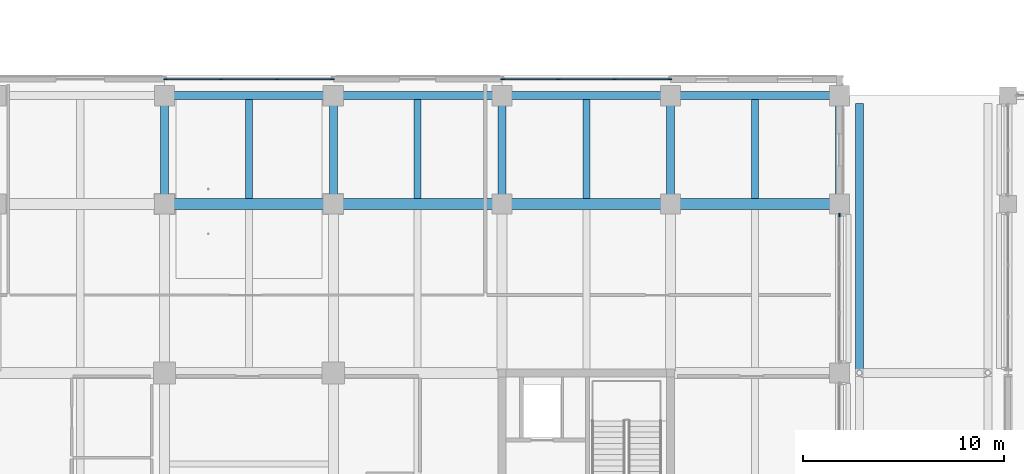
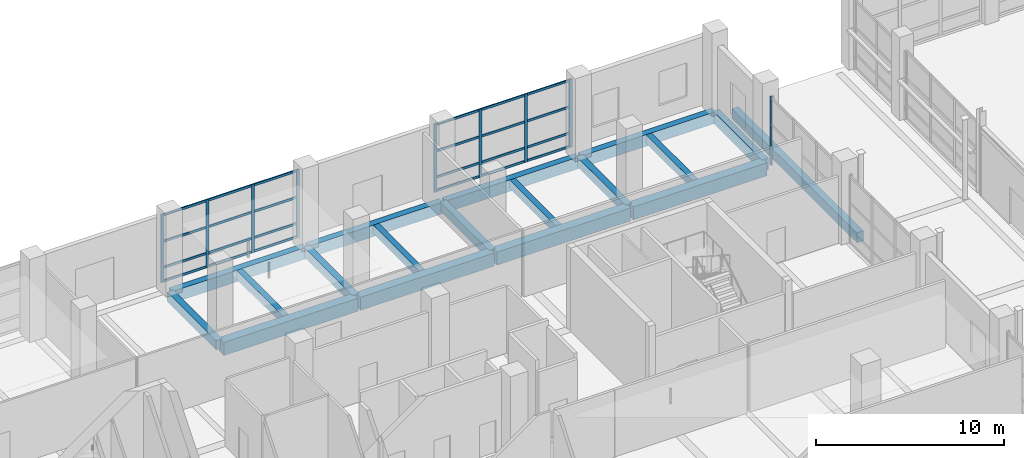
# One storey, part 33 of 140: 33 members, 18 beams, 3 elements without a shape of their own.
"""IFC4 building model written with IfcOpenShell, lengths in metres."""

from ifc_helpers import new_model, si_unit, direction, frame, origin, origin_2d, place, context, subcontext, project, spatial, rectangle, extrude, material, layer, layer_set, material_profile, profile_set, type_object, element, aggregate, save


model = new_model("IFC4")

# Units and contexts
model_context = context("Model", 3, precision=1e-05, world=origin(), true_north=direction((0.0, 1.0)))
body_context = subcontext(model_context, "Body", "Model", "MODEL_VIEW")
ifc_project = project(units=[si_unit("LENGTHUNIT", "METRE"), si_unit("AREAUNIT", "SQUARE_METRE"), si_unit("VOLUMEUNIT", "CUBIC_METRE"), si_unit("PLANEANGLEUNIT", "RADIAN"), si_unit("MASSUNIT", "GRAM", prefix="KILO")], contexts=[model_context])

# Site, building, storey
site_placement = place(None, origin())
site = spatial("IfcSite", under=ifc_project, at=site_placement, CompositionType="ELEMENT")
building_placement = place(site_placement, origin())
building = spatial("IfcBuilding", under=site, at=building_placement, Name="Telukmera Botanical Conservatory", CompositionType="ELEMENT")
storey_placement = place(building_placement, origin())
storey = spatial("IfcBuildingStorey", under=building, at=storey_placement, Name="L00", CompositionType="ELEMENT", Elevation=0.0)

# Beams
ifc_material_1 = material(Name="Concrete C40/50", Category="concrete")
ifc_material_profile_1 = material_profile(ifc_material_1, rectangle(XDim=0.39990234375, YDim=0.60009765625, at=origin_2d()), Name="RC 400x600")
ifc_profile_set_1 = profile_set([ifc_material_profile_1], Name="Concrete C40/50")
beam_type_1 = type_object("IfcBeamType", Name="Beam_B18", PredefinedType="BEAM", material=ifc_profile_set_1)
for number, where, z_axis, x_axis, name in (
    (1, (75.60009765625, 42.8798828125, -0.300048828125), (0.0, 1.0, 0.0), (-1.0, 0.0, 0.0), "Tower Transverse Beam L00"),
    (2, (84.0, 42.8798828125, -0.300048828125), (0.0, 1.0, 0.0), (-1.0, 0.0, 0.0), "Tower Transverse Beam L00"),
    (3, (92.39990234375, 42.8798828125, -0.300048828125), (0.0, 1.0, 0.0), (-1.0, 0.0, 0.0), "Tower Transverse Beam L00"),
    (4, (100.800048828125, 42.8798828125, -0.300048828125), (0.0, 1.0, 0.0), (-1.0, 0.0, 0.0), "Tower Transverse Beam L00"),
):
    element("IfcBeam", number, at=place(storey_placement, frame(where, z_axis=z_axis, x_axis=x_axis)), inside=storey, type_object=beam_type_1, Name=name, PredefinedType="BEAM", context=body_context, shape_type="SweptSolid", body=[
        extrude(rectangle(XDim=0.39990234375, YDim=0.60009765625, at=origin_2d()), origin(), (0.0, 0.0, 1.0), 5.240234375),
    ])
ifc_material_profile_2 = material_profile(ifc_material_1, rectangle(XDim=0.35009765625, YDim=0.550048828125, at=origin_2d()), Name="RC 350x550")
ifc_profile_set_2 = profile_set([ifc_material_profile_2], Name="Concrete C40/50")
beam_type_2 = type_object("IfcBeamType", Name="Beam_B21", PredefinedType="JOIST", material=ifc_profile_set_2)
for number, where, z_axis, x_axis, name in (
    (5, (79.800048828125, 43.074951171875, -0.27490234375), (0.0, 1.0, 0.0), (-1.0, 0.0, 0.0), "Tower Secondary Floor Joist L00"),
    (6, (88.199951171875, 43.074951171875, -0.27490234375), (0.0, 1.0, 0.0), (-1.0, 0.0, 0.0), "Tower Secondary Floor Joist L00"),
    (7, (96.60009765625, 43.074951171875, -0.27490234375), (0.0, 1.0, 0.0), (-1.0, 0.0, 0.0), "Tower Secondary Floor Joist L00"),
    (8, (105.0, 43.074951171875, -0.27490234375), (0.0, 1.0, 0.0), (-1.0, 0.0, 0.0), "Tower Secondary Floor Joist L00"),
):
    element("IfcBeam", number, at=place(storey_placement, frame(where, z_axis=z_axis, x_axis=x_axis)), inside=storey, type_object=beam_type_2, Name=name, PredefinedType="JOIST", context=body_context, shape_type="SweptSolid", body=[
        extrude(rectangle(XDim=0.35009765625, YDim=0.550048828125, at=origin_2d()), origin(), (0.0, 0.0, 1.0), 4.925048828125),
    ])
ifc_material_profile_3 = material_profile(ifc_material_1, rectangle(XDim=0.550048828125, YDim=0.85009765625, at=origin_2d()), Name="RC 550x850")
ifc_profile_set_3 = profile_set([ifc_material_profile_3], Name="Concrete C40/50")
beam_type_3 = type_object("IfcBeamType", Name="Beam_B4", PredefinedType="BEAM", material=ifc_profile_set_3)
for number, where, z_axis, x_axis, name in (
    (9, (75.679931640625, 42.800048828125, -0.425048828125), (1.0, 0.0, 0.0), (0.0, 1.0, 0.0), "Tower Grid Beam L00"),
    (10, (84.080078125, 42.800048828125, -0.425048828125), (1.0, 0.0, 0.0), (0.0, 1.0, 0.0), "Tower Grid Beam L00"),
    (11, (92.47998046875, 42.800048828125, -0.425048828125), (1.0, 0.0, 0.0), (0.0, 1.0, 0.0), "Tower Grid Beam L00"),
):
    element("IfcBeam", number, at=place(storey_placement, frame(where, z_axis=z_axis, x_axis=x_axis)), inside=storey, type_object=beam_type_3, Name=name, PredefinedType="BEAM", context=body_context, shape_type="SweptSolid", body=[
        extrude(rectangle(XDim=0.550048828125, YDim=0.85009765625, at=origin_2d()), origin(), (0.0, 0.0, 1.0), 8.239990234375),
    ])
beam_1_placement = place(storey_placement, frame((100.8798828125, 42.800048828125, -0.425048828125), z_axis=(1.0, 0.0, 0.0), x_axis=(0.0, 1.0, 0.0)))
element("IfcBeam", 12, at=beam_1_placement, inside=storey, type_object=beam_type_3, Name="Tower Grid Beam L00", PredefinedType="BEAM", context=body_context, shape_type="SweptSolid", body=[
    extrude(rectangle(XDim=0.550048828125, YDim=0.85009765625, at=origin_2d()), origin(), (0.0, 0.0, 1.0), 8.240234375),
])
ifc_material_profile_4 = material_profile(ifc_material_1, rectangle(XDim=0.39990234375, YDim=0.64990234375, at=origin_2d()), Name="RC 400x650")
ifc_profile_set_4 = profile_set([ifc_material_profile_4], Name="Concrete C40/50")
beam_type_4 = type_object("IfcBeamType", Name="Beam_B8", PredefinedType="BEAM", material=ifc_profile_set_4)
beam_2_placement = place(storey_placement, frame((110.199951171875, 34.47998046875, -0.324951171875), z_axis=(0.0, 1.0, 0.0), x_axis=(-1.0, 0.0, 0.0)))
element("IfcBeam", 13, at=beam_2_placement, inside=storey, type_object=beam_type_4, Name="East Link Deck North Girder L00", PredefinedType="BEAM", context=body_context, shape_type="SweptSolid", body=[
    extrude(rectangle(XDim=0.39990234375, YDim=0.64990234375, at=origin_2d()), origin(), (0.0, 0.0, 1.0), 13.340087890625),
])
ifc_material_2 = material(Name="Precast concrete C40/50", Category="concrete")
ifc_material_profile_5 = material_profile(ifc_material_2, rectangle(XDim=0.39990234375, YDim=0.75, at=origin_2d()), Name="PC 400x750")
ifc_profile_set_5 = profile_set([ifc_material_profile_5], Name="Precast concrete C40/50")
beam_type_5 = type_object("IfcBeamType", Name="Beam_SP1", PredefinedType="SPANDREL", material=ifc_profile_set_5)
for number, where, z_axis, x_axis, name in (
    (14, (75.679931640625, 48.199951171875, -0.375), (1.0, 0.0, 0.0), (0.0, 1.0, 0.0), "Tower Grid Beam L00"),
    (15, (84.080078125, 48.199951171875, -0.375), (1.0, 0.0, 0.0), (0.0, 1.0, 0.0), "Tower Grid Beam L00"),
    (16, (92.47998046875, 48.199951171875, -0.375), (1.0, 0.0, 0.0), (0.0, 1.0, 0.0), "Tower Grid Beam L00"),
):
    element("IfcBeam", number, at=place(storey_placement, frame(where, z_axis=z_axis, x_axis=x_axis)), inside=storey, type_object=beam_type_5, Name=name, PredefinedType="SPANDREL", context=body_context, shape_type="SweptSolid", body=[
        extrude(rectangle(XDim=0.39990234375, YDim=0.75, at=origin_2d()), origin(), (0.0, 0.0, 1.0), 8.239990234375),
    ])
beam_3_placement = place(storey_placement, frame((100.8798828125, 48.199951171875, -0.375), z_axis=(1.0, 0.0, 0.0), x_axis=(0.0, 1.0, 0.0)))
element("IfcBeam", 17, at=beam_3_placement, inside=storey, type_object=beam_type_5, Name="Tower Grid Beam L00", PredefinedType="SPANDREL", context=body_context, shape_type="SweptSolid", body=[
    extrude(rectangle(XDim=0.39990234375, YDim=0.75, at=origin_2d()), origin(), (0.0, 0.0, 1.0), 8.240234375),
])
beam_4_placement = place(storey_placement, frame((109.199951171875, 42.8798828125, -0.375), z_axis=(0.0, 1.0, 0.0), x_axis=(-1.0, 0.0, 0.0)))
element("IfcBeam", 18, at=beam_4_placement, inside=storey, type_object=beam_type_5, Name="Tower Transverse Beam L00", PredefinedType="SPANDREL", context=body_context, shape_type="SweptSolid", body=[
    extrude(rectangle(XDim=0.39990234375, YDim=0.75, at=origin_2d()), origin(), (0.0, 0.0, 1.0), 5.240234375),
])

# Curtain wall, members
ifc_material_3 = material(Name="Anodised aluminium 6063-T6", Category="aluminium")
ifc_layer = layer(ifc_material_3, 0.179931640625)
ifc_layer_set = layer_set([ifc_layer], Name="Anodised aluminium 6063-T6")
curtain_wall_type = type_object("IfcCurtainWallType", Name="Tower Boulevard Podium Hall Curtain Wall", PredefinedType="USERDEFINED", material=ifc_layer_set)
curtain_wall_1_placement = place(storey_placement, origin())
curtain_wall_1 = element("IfcCurtainWall", 19, at=curtain_wall_1_placement, inside=storey, type_object=curtain_wall_type, Name="Unitised Curtain Wall CW12 V4:L00:N4", ObjectType="UNITISED CURTAIN WALL", PredefinedType="USERDEFINED")
ifc_material_profile_6 = material_profile(ifc_material_3, rectangle(XDim=0.070068359375, YDim=0.179931640625, at=origin_2d()), Name="ALU MULL 70x180")
ifc_profile_set_6 = profile_set([ifc_material_profile_6], Name="Anodised aluminium 6063-T6")
member_type_1 = type_object("IfcMemberType", Name="Curtain Wall Extruded Mullion 70x180", PredefinedType="MULLION", material=ifc_profile_set_6)
member_1_placement = place(storey_placement, frame((75.636962890625, 49.02001953125, 0.0), z_axis=(0.0, 0.0, 1.0), x_axis=(0.0, 1.0, 0.0)))
member_1 = element("IfcMember", 20, at=member_1_placement, type_object=member_type_1, Name="CW12 mullion 1", PredefinedType="MULLION", context=body_context, shape_type="SweptSolid", body=[
    extrude(rectangle(XDim=0.070068359375, YDim=0.179931640625, at=origin_2d()), origin(), (0.0, 0.0, 1.0), 4.449951171875),
])
member_2_placement = place(storey_placement, frame((78.400634765625, 49.02001953125, 0.0), z_axis=(0.0, 0.0, 1.0), x_axis=(0.0, 1.0, 0.0)))
member_2 = element("IfcMember", 21, at=member_2_placement, type_object=member_type_1, Name="CW12 mullion 2", PredefinedType="MULLION", context=body_context, shape_type="SweptSolid", body=[
    extrude(rectangle(XDim=0.070068359375, YDim=0.179931640625, at=origin_2d()), origin(), (0.0, 0.0, 1.0), 4.449951171875),
])
member_3_placement = place(storey_placement, frame((81.19921875, 49.02001953125, 0.0), z_axis=(0.0, 0.0, 1.0), x_axis=(0.0, 1.0, 0.0)))
member_3 = element("IfcMember", 22, at=member_3_placement, type_object=member_type_1, Name="CW12 mullion 3", PredefinedType="MULLION", context=body_context, shape_type="SweptSolid", body=[
    extrude(rectangle(XDim=0.070068359375, YDim=0.179931640625, at=origin_2d()), origin(), (0.0, 0.0, 1.0), 4.449951171875),
])
member_4_placement = place(storey_placement, frame((83.962890625, 49.02001953125, 0.0), z_axis=(0.0, 0.0, 1.0), x_axis=(0.0, 1.0, 0.0)))
member_4 = element("IfcMember", 23, at=member_4_placement, type_object=member_type_1, Name="CW12 mullion 4", PredefinedType="MULLION", context=body_context, shape_type="SweptSolid", body=[
    extrude(rectangle(XDim=0.070068359375, YDim=0.179931640625, at=origin_2d()), origin(), (0.0, 0.0, 1.0), 4.449951171875),
])

curtain_wall_2_placement = place(storey_placement, origin())
curtain_wall_2 = element("IfcCurtainWall", 24, at=curtain_wall_2_placement, inside=storey, type_object=curtain_wall_type, Name="Unitised Curtain Wall CW12 V4:L00:N6", ObjectType="UNITISED CURTAIN WALL", PredefinedType="USERDEFINED")
member_5_placement = place(storey_placement, frame((92.43701171875, 49.02001953125, 0.0), z_axis=(0.0, 0.0, 1.0), x_axis=(0.0, 1.0, 0.0)))
member_5 = element("IfcMember", 25, at=member_5_placement, type_object=member_type_1, Name="CW12 mullion 1", PredefinedType="MULLION", context=body_context, shape_type="SweptSolid", body=[
    extrude(rectangle(XDim=0.070068359375, YDim=0.179931640625, at=origin_2d()), origin(), (0.0, 0.0, 1.0), 4.449951171875),
])
member_6_placement = place(storey_placement, frame((95.20068359375, 49.02001953125, 0.0), z_axis=(0.0, 0.0, 1.0), x_axis=(0.0, 1.0, 0.0)))
member_6 = element("IfcMember", 26, at=member_6_placement, type_object=member_type_1, Name="CW12 mullion 2", PredefinedType="MULLION", context=body_context, shape_type="SweptSolid", body=[
    extrude(rectangle(XDim=0.070068359375, YDim=0.179931640625, at=origin_2d()), origin(), (0.0, 0.0, 1.0), 4.449951171875),
])
member_7_placement = place(storey_placement, frame((97.999267578125, 49.02001953125, 0.0), z_axis=(0.0, 0.0, 1.0), x_axis=(0.0, 1.0, 0.0)))
member_7 = element("IfcMember", 27, at=member_7_placement, type_object=member_type_1, Name="CW12 mullion 3", PredefinedType="MULLION", context=body_context, shape_type="SweptSolid", body=[
    extrude(rectangle(XDim=0.070068359375, YDim=0.179931640625, at=origin_2d()), origin(), (0.0, 0.0, 1.0), 4.449951171875),
])
member_8_placement = place(storey_placement, frame((100.762939453125, 49.02001953125, 0.0), z_axis=(0.0, 0.0, 1.0), x_axis=(0.0, 1.0, 0.0)))
member_8 = element("IfcMember", 28, at=member_8_placement, type_object=member_type_1, Name="CW12 mullion 4", PredefinedType="MULLION", context=body_context, shape_type="SweptSolid", body=[
    extrude(rectangle(XDim=0.070068359375, YDim=0.179931640625, at=origin_2d()), origin(), (0.0, 0.0, 1.0), 4.449951171875),
])

# Curtain wall, member
curtain_wall_3_placement = place(storey_placement, origin())
curtain_wall_3 = element("IfcCurtainWall", 29, at=curtain_wall_3_placement, inside=storey, type_object=curtain_wall_type, Name="Unitised Curtain Wall CW12 V4:L00:E4", ObjectType="UNITISED CURTAIN WALL", PredefinedType="USERDEFINED")
member_9_placement = place(storey_placement, frame((109.199951171875, 42.262939453125, 0.0), z_axis=(0.0, 0.0, 1.0), x_axis=(-1.0, 0.0, 0.0)))
member_9 = element("IfcMember", 30, at=member_9_placement, type_object=member_type_1, Name="CW12 mullion 4", PredefinedType="MULLION", context=body_context, shape_type="SweptSolid", body=[
    extrude(rectangle(XDim=0.070068359375, YDim=0.179931640625, at=origin_2d()), origin(), (0.0, 0.0, 1.0), 4.449951171875),
])
aggregate(curtain_wall_3, [member_9])

# Member
ifc_material_profile_7 = material_profile(ifc_material_3, rectangle(XDim=0.070068359375, YDim=0.14990234375, at=origin_2d()), Name="ALU TRAN 70x150")
ifc_profile_set_7 = profile_set([ifc_material_profile_7], Name="Anodised aluminium 6063-T6")
member_type_2 = type_object("IfcMemberType", Name="Curtain Wall Extruded Transom 70x150", PredefinedType="USERDEFINED", material=ifc_profile_set_7)
member_10_placement = place(storey_placement, frame((75.672119140625, 49.02001953125, 0.074951171875), z_axis=(1.0, 0.0, 0.0), x_axis=(0.0, 1.0, 0.0)))
member_10 = element("IfcMember", 31, at=member_10_placement, type_object=member_type_2, Name="CW12 transom 1.1", ObjectType="TRANSOM", PredefinedType="USERDEFINED", context=body_context, shape_type="SweptSolid", body=[
    extrude(rectangle(XDim=0.070068359375, YDim=0.14990234375, at=origin_2d()), origin(), (0.0, 0.0, 1.0), 2.693603515625),
])

member_11_placement = place(storey_placement, frame((75.672119140625, 49.02001953125, 0.949951171875), z_axis=(1.0, 0.0, 0.0), x_axis=(0.0, 1.0, 0.0)))
member_11 = element("IfcMember", 32, at=member_11_placement, type_object=member_type_2, Name="CW12 transom 1.2", ObjectType="TRANSOM", PredefinedType="USERDEFINED", context=body_context, shape_type="SweptSolid", body=[
    extrude(rectangle(XDim=0.070068359375, YDim=0.14990234375, at=origin_2d()), origin(), (0.0, 0.0, 1.0), 2.693603515625),
])

member_12_placement = place(storey_placement, frame((75.672119140625, 49.02001953125, 2.64990234375), z_axis=(1.0, 0.0, 0.0), x_axis=(0.0, 1.0, 0.0)))
member_12 = element("IfcMember", 33, at=member_12_placement, type_object=member_type_2, Name="CW12 transom 1.3", ObjectType="TRANSOM", PredefinedType="USERDEFINED", context=body_context, shape_type="SweptSolid", body=[
    extrude(rectangle(XDim=0.070068359375, YDim=0.14990234375, at=origin_2d()), origin(), (0.0, 0.0, 1.0), 2.693603515625),
])

member_13_placement = place(storey_placement, frame((75.672119140625, 49.02001953125, 4.375), z_axis=(1.0, 0.0, 0.0), x_axis=(0.0, 1.0, 0.0)))
member_13 = element("IfcMember", 34, at=member_13_placement, type_object=member_type_2, Name="CW12 transom 1.4", ObjectType="TRANSOM", PredefinedType="USERDEFINED", context=body_context, shape_type="SweptSolid", body=[
    extrude(rectangle(XDim=0.070068359375, YDim=0.14990234375, at=origin_2d()), origin(), (0.0, 0.0, 1.0), 2.693603515625),
])

member_14_placement = place(storey_placement, frame((78.435546875, 49.02001953125, 0.074951171875), z_axis=(1.0, 0.0, 0.0), x_axis=(0.0, 1.0, 0.0)))
member_14 = element("IfcMember", 35, at=member_14_placement, type_object=member_type_2, Name="CW12 transom 2.1", ObjectType="TRANSOM", PredefinedType="USERDEFINED", context=body_context, shape_type="SweptSolid", body=[
    extrude(rectangle(XDim=0.070068359375, YDim=0.14990234375, at=origin_2d()), origin(), (0.0, 0.0, 1.0), 2.728759765625),
])

member_15_placement = place(storey_placement, frame((78.435546875, 49.02001953125, 0.949951171875), z_axis=(1.0, 0.0, 0.0), x_axis=(0.0, 1.0, 0.0)))
member_15 = element("IfcMember", 36, at=member_15_placement, type_object=member_type_2, Name="CW12 transom 2.2", ObjectType="TRANSOM", PredefinedType="USERDEFINED", context=body_context, shape_type="SweptSolid", body=[
    extrude(rectangle(XDim=0.070068359375, YDim=0.14990234375, at=origin_2d()), origin(), (0.0, 0.0, 1.0), 2.728759765625),
])

member_16_placement = place(storey_placement, frame((78.435546875, 49.02001953125, 2.64990234375), z_axis=(1.0, 0.0, 0.0), x_axis=(0.0, 1.0, 0.0)))
member_16 = element("IfcMember", 37, at=member_16_placement, type_object=member_type_2, Name="CW12 transom 2.3", ObjectType="TRANSOM", PredefinedType="USERDEFINED", context=body_context, shape_type="SweptSolid", body=[
    extrude(rectangle(XDim=0.070068359375, YDim=0.14990234375, at=origin_2d()), origin(), (0.0, 0.0, 1.0), 2.728759765625),
])

member_17_placement = place(storey_placement, frame((78.435546875, 49.02001953125, 4.375), z_axis=(1.0, 0.0, 0.0), x_axis=(0.0, 1.0, 0.0)))
member_17 = element("IfcMember", 38, at=member_17_placement, type_object=member_type_2, Name="CW12 transom 2.4", ObjectType="TRANSOM", PredefinedType="USERDEFINED", context=body_context, shape_type="SweptSolid", body=[
    extrude(rectangle(XDim=0.070068359375, YDim=0.14990234375, at=origin_2d()), origin(), (0.0, 0.0, 1.0), 2.728759765625),
])

member_18_placement = place(storey_placement, frame((81.234375, 49.02001953125, 0.074951171875), z_axis=(1.0, 0.0, 0.0), x_axis=(0.0, 1.0, 0.0)))
member_18 = element("IfcMember", 39, at=member_18_placement, type_object=member_type_2, Name="CW12 transom 3.1", ObjectType="TRANSOM", PredefinedType="USERDEFINED", context=body_context, shape_type="SweptSolid", body=[
    extrude(rectangle(XDim=0.070068359375, YDim=0.14990234375, at=origin_2d()), origin(), (0.0, 0.0, 1.0), 2.693603515625),
])

member_19_placement = place(storey_placement, frame((81.234375, 49.02001953125, 0.949951171875), z_axis=(1.0, 0.0, 0.0), x_axis=(0.0, 1.0, 0.0)))
member_19 = element("IfcMember", 40, at=member_19_placement, type_object=member_type_2, Name="CW12 transom 3.2", ObjectType="TRANSOM", PredefinedType="USERDEFINED", context=body_context, shape_type="SweptSolid", body=[
    extrude(rectangle(XDim=0.070068359375, YDim=0.14990234375, at=origin_2d()), origin(), (0.0, 0.0, 1.0), 2.693603515625),
])

member_20_placement = place(storey_placement, frame((81.234375, 49.02001953125, 2.64990234375), z_axis=(1.0, 0.0, 0.0), x_axis=(0.0, 1.0, 0.0)))
member_20 = element("IfcMember", 41, at=member_20_placement, type_object=member_type_2, Name="CW12 transom 3.3", ObjectType="TRANSOM", PredefinedType="USERDEFINED", context=body_context, shape_type="SweptSolid", body=[
    extrude(rectangle(XDim=0.070068359375, YDim=0.14990234375, at=origin_2d()), origin(), (0.0, 0.0, 1.0), 2.693603515625),
])

member_21_placement = place(storey_placement, frame((81.234375, 49.02001953125, 4.375), z_axis=(1.0, 0.0, 0.0), x_axis=(0.0, 1.0, 0.0)))
member_21 = element("IfcMember", 42, at=member_21_placement, type_object=member_type_2, Name="CW12 transom 3.4", ObjectType="TRANSOM", PredefinedType="USERDEFINED", context=body_context, shape_type="SweptSolid", body=[
    extrude(rectangle(XDim=0.070068359375, YDim=0.14990234375, at=origin_2d()), origin(), (0.0, 0.0, 1.0), 2.693603515625),
])

aggregate(curtain_wall_1, [member_1, member_2, member_3, member_4, member_10, member_11, member_12, member_13, member_14, member_15, member_16, member_17, member_18, member_19, member_20, member_21])

member_22_placement = place(storey_placement, frame((92.471923828125, 49.02001953125, 0.074951171875), z_axis=(1.0, 0.0, 0.0), x_axis=(0.0, 1.0, 0.0)))
member_22 = element("IfcMember", 43, at=member_22_placement, type_object=member_type_2, Name="CW12 transom 1.1", ObjectType="TRANSOM", PredefinedType="USERDEFINED", context=body_context, shape_type="SweptSolid", body=[
    extrude(rectangle(XDim=0.070068359375, YDim=0.14990234375, at=origin_2d()), origin(), (0.0, 0.0, 1.0), 2.69384765625),
])

member_23_placement = place(storey_placement, frame((92.471923828125, 49.02001953125, 0.949951171875), z_axis=(1.0, 0.0, 0.0), x_axis=(0.0, 1.0, 0.0)))
member_23 = element("IfcMember", 44, at=member_23_placement, type_object=member_type_2, Name="CW12 transom 1.2", ObjectType="TRANSOM", PredefinedType="USERDEFINED", context=body_context, shape_type="SweptSolid", body=[
    extrude(rectangle(XDim=0.070068359375, YDim=0.14990234375, at=origin_2d()), origin(), (0.0, 0.0, 1.0), 2.69384765625),
])

member_24_placement = place(storey_placement, frame((92.471923828125, 49.02001953125, 2.64990234375), z_axis=(1.0, 0.0, 0.0), x_axis=(0.0, 1.0, 0.0)))
member_24 = element("IfcMember", 45, at=member_24_placement, type_object=member_type_2, Name="CW12 transom 1.3", ObjectType="TRANSOM", PredefinedType="USERDEFINED", context=body_context, shape_type="SweptSolid", body=[
    extrude(rectangle(XDim=0.070068359375, YDim=0.14990234375, at=origin_2d()), origin(), (0.0, 0.0, 1.0), 2.69384765625),
])

member_25_placement = place(storey_placement, frame((92.471923828125, 49.02001953125, 4.375), z_axis=(1.0, 0.0, 0.0), x_axis=(0.0, 1.0, 0.0)))
member_25 = element("IfcMember", 46, at=member_25_placement, type_object=member_type_2, Name="CW12 transom 1.4", ObjectType="TRANSOM", PredefinedType="USERDEFINED", context=body_context, shape_type="SweptSolid", body=[
    extrude(rectangle(XDim=0.070068359375, YDim=0.14990234375, at=origin_2d()), origin(), (0.0, 0.0, 1.0), 2.69384765625),
])

member_26_placement = place(storey_placement, frame((95.235595703125, 49.02001953125, 0.074951171875), z_axis=(1.0, 0.0, 0.0), x_axis=(0.0, 1.0, 0.0)))
member_26 = element("IfcMember", 47, at=member_26_placement, type_object=member_type_2, Name="CW12 transom 2.1", ObjectType="TRANSOM", PredefinedType="USERDEFINED", context=body_context, shape_type="SweptSolid", body=[
    extrude(rectangle(XDim=0.070068359375, YDim=0.14990234375, at=origin_2d()), origin(), (0.0, 0.0, 1.0), 2.728759765625),
])

member_27_placement = place(storey_placement, frame((95.235595703125, 49.02001953125, 0.949951171875), z_axis=(1.0, 0.0, 0.0), x_axis=(0.0, 1.0, 0.0)))
member_27 = element("IfcMember", 48, at=member_27_placement, type_object=member_type_2, Name="CW12 transom 2.2", ObjectType="TRANSOM", PredefinedType="USERDEFINED", context=body_context, shape_type="SweptSolid", body=[
    extrude(rectangle(XDim=0.070068359375, YDim=0.14990234375, at=origin_2d()), origin(), (0.0, 0.0, 1.0), 2.728759765625),
])

member_28_placement = place(storey_placement, frame((95.235595703125, 49.02001953125, 2.64990234375), z_axis=(1.0, 0.0, 0.0), x_axis=(0.0, 1.0, 0.0)))
member_28 = element("IfcMember", 49, at=member_28_placement, type_object=member_type_2, Name="CW12 transom 2.3", ObjectType="TRANSOM", PredefinedType="USERDEFINED", context=body_context, shape_type="SweptSolid", body=[
    extrude(rectangle(XDim=0.070068359375, YDim=0.14990234375, at=origin_2d()), origin(), (0.0, 0.0, 1.0), 2.728759765625),
])

member_29_placement = place(storey_placement, frame((95.235595703125, 49.02001953125, 4.375), z_axis=(1.0, 0.0, 0.0), x_axis=(0.0, 1.0, 0.0)))
member_29 = element("IfcMember", 50, at=member_29_placement, type_object=member_type_2, Name="CW12 transom 2.4", ObjectType="TRANSOM", PredefinedType="USERDEFINED", context=body_context, shape_type="SweptSolid", body=[
    extrude(rectangle(XDim=0.070068359375, YDim=0.14990234375, at=origin_2d()), origin(), (0.0, 0.0, 1.0), 2.728759765625),
])

member_30_placement = place(storey_placement, frame((98.034423828125, 49.02001953125, 0.074951171875), z_axis=(1.0, 0.0, 0.0), x_axis=(0.0, 1.0, 0.0)))
member_30 = element("IfcMember", 51, at=member_30_placement, type_object=member_type_2, Name="CW12 transom 3.1", ObjectType="TRANSOM", PredefinedType="USERDEFINED", context=body_context, shape_type="SweptSolid", body=[
    extrude(rectangle(XDim=0.070068359375, YDim=0.14990234375, at=origin_2d()), origin(), (0.0, 0.0, 1.0), 2.693603515625),
])

member_31_placement = place(storey_placement, frame((98.034423828125, 49.02001953125, 0.949951171875), z_axis=(1.0, 0.0, 0.0), x_axis=(0.0, 1.0, 0.0)))
member_31 = element("IfcMember", 52, at=member_31_placement, type_object=member_type_2, Name="CW12 transom 3.2", ObjectType="TRANSOM", PredefinedType="USERDEFINED", context=body_context, shape_type="SweptSolid", body=[
    extrude(rectangle(XDim=0.070068359375, YDim=0.14990234375, at=origin_2d()), origin(), (0.0, 0.0, 1.0), 2.693603515625),
])

member_32_placement = place(storey_placement, frame((98.034423828125, 49.02001953125, 2.64990234375), z_axis=(1.0, 0.0, 0.0), x_axis=(0.0, 1.0, 0.0)))
member_32 = element("IfcMember", 53, at=member_32_placement, type_object=member_type_2, Name="CW12 transom 3.3", ObjectType="TRANSOM", PredefinedType="USERDEFINED", context=body_context, shape_type="SweptSolid", body=[
    extrude(rectangle(XDim=0.070068359375, YDim=0.14990234375, at=origin_2d()), origin(), (0.0, 0.0, 1.0), 2.693603515625),
])

member_33_placement = place(storey_placement, frame((98.034423828125, 49.02001953125, 4.375), z_axis=(1.0, 0.0, 0.0), x_axis=(0.0, 1.0, 0.0)))
member_33 = element("IfcMember", 54, at=member_33_placement, type_object=member_type_2, Name="CW12 transom 3.4", ObjectType="TRANSOM", PredefinedType="USERDEFINED", context=body_context, shape_type="SweptSolid", body=[
    extrude(rectangle(XDim=0.070068359375, YDim=0.14990234375, at=origin_2d()), origin(), (0.0, 0.0, 1.0), 2.693603515625),
])

aggregate(curtain_wall_2, [member_5, member_6, member_7, member_8, member_22, member_23, member_24, member_25, member_26, member_27, member_28, member_29, member_30, member_31, member_32, member_33])

save(model, "model.ifc")
